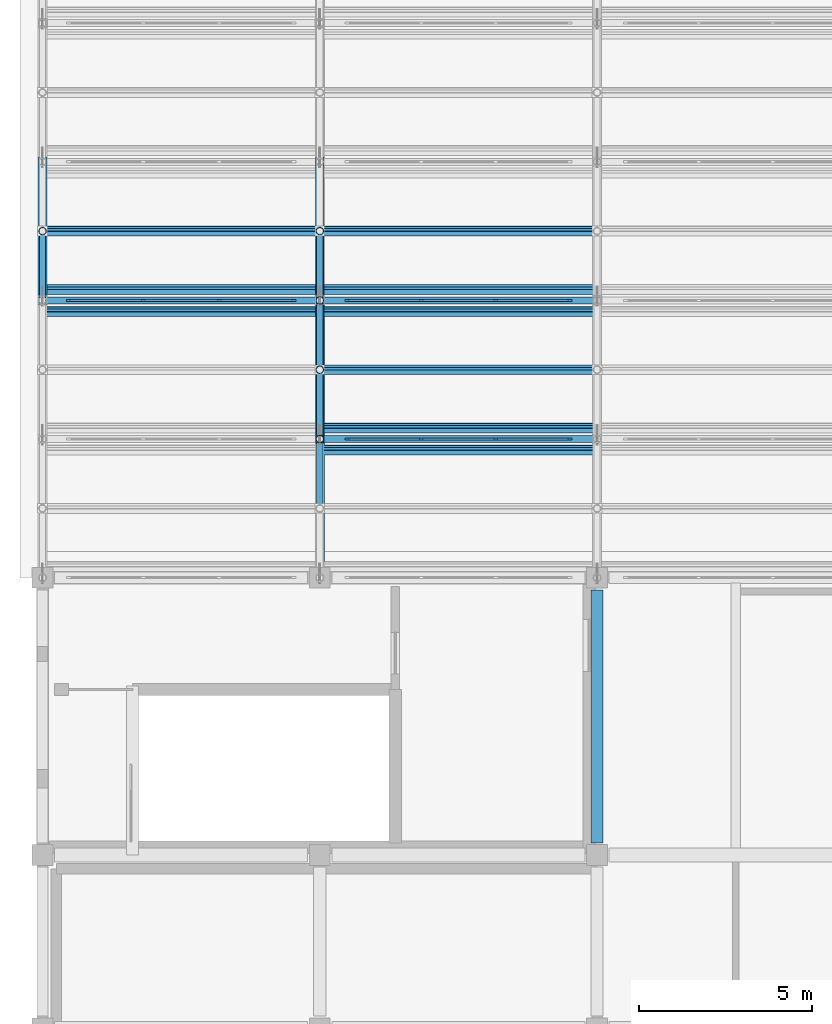
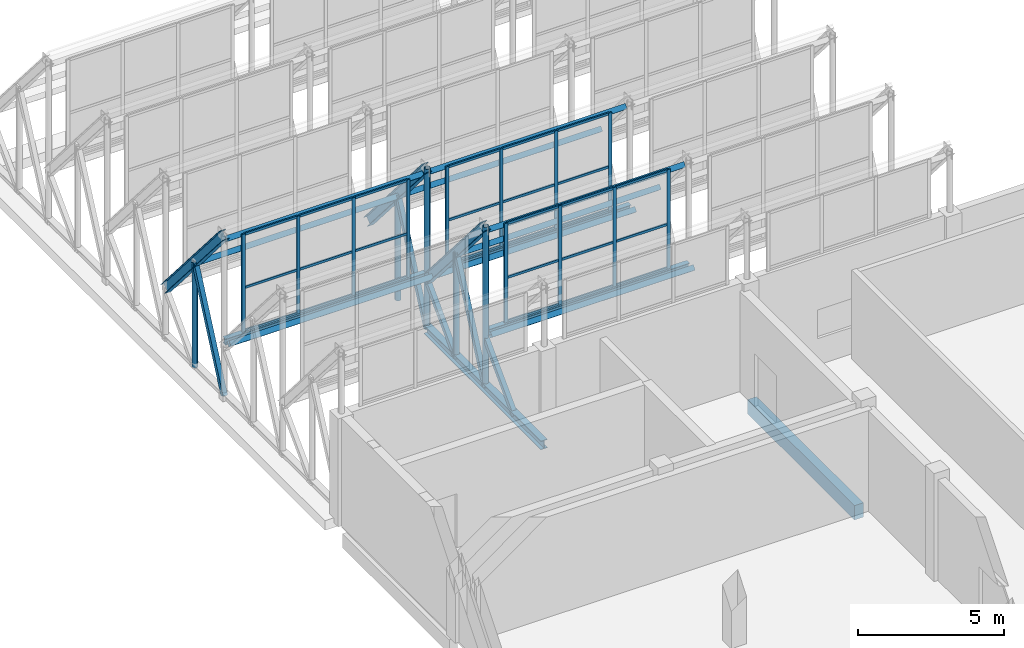
# One storey, part 22 of 43: 61 members, 5 beams, 3 elements without a shape of their own.
"""IFC4 building model written with IfcOpenShell, lengths in metres."""

from ifc_helpers import new_model, si_unit, direction, frame, origin, origin_2d, place, context, subcontext, project, spatial, rectangle, hollow_rectangle, hollow_circle, i_section, extrude, material, layer, layer_set, material_profile, profile_set, type_object, element, aggregate, save


model = new_model("IFC4")

# Units and contexts
model_context = context("Model", 3, precision=1e-05, world=origin(), true_north=direction((0.0, 1.0)))
body_context = subcontext(model_context, "Body", "Model", "MODEL_VIEW")
ifc_project = project(units=[si_unit("LENGTHUNIT", "METRE"), si_unit("AREAUNIT", "SQUARE_METRE"), si_unit("VOLUMEUNIT", "CUBIC_METRE"), si_unit("PLANEANGLEUNIT", "RADIAN"), si_unit("MASSUNIT", "GRAM", prefix="KILO")], contexts=[model_context])

# Site, building, storey
site_placement = place(None, origin())
site = spatial("IfcSite", under=ifc_project, at=site_placement, CompositionType="ELEMENT")
building_placement = place(site_placement, origin())
building = spatial("IfcBuilding", under=site, at=building_placement, Name="Qorikala Patio Media Centre", CompositionType="ELEMENT")
storey_placement = place(building_placement, frame((0.0, 0.0, 18.89990234375)))
storey = spatial("IfcBuildingStorey", under=building, at=storey_placement, Name="L04", CompositionType="ELEMENT", Elevation=18.89990234375)

# Beam
ifc_material_1 = material(Name="Concrete C35/45", Category="concrete")
ifc_material_profile_1 = material_profile(ifc_material_1, rectangle(XDim=0.35009765625, YDim=0.60009765625, at=origin_2d()), Name="RC 350x600")
ifc_profile_set_1 = profile_set([ifc_material_profile_1], Name="Concrete C35/45")
beam_type_1 = type_object("IfcBeamType", Name="BM-G350X600", PredefinedType="BEAM", material=ifc_profile_set_1)
beam_1_placement = place(storey_placement, frame((19.0, 64.35009765625, -0.599853515625), z_axis=(0.0, 1.0, 0.0), x_axis=(-1.0, 0.0, 0.0)))
element("IfcBeam", 1, at=beam_1_placement, inside=storey, type_object=beam_type_1, Name="L04 Grid X=19 Beam 1407", PredefinedType="BEAM", context=body_context, shape_type="SweptSolid", body=[
    extrude(rectangle(XDim=0.35009765625, YDim=0.60009765625, at=origin_2d()), origin(), (0.0, 0.0, 1.0), 7.2998046875),
])

# Members
ifc_material_2 = material(Name="Steel S355", Category="steel")
ifc_material_profile_2 = material_profile(ifc_material_2, hollow_rectangle(XDim=0.179931640625, YDim=0.179931640625, WallThickness=0.008056640625, at=origin_2d()), Name="HSS180X180X8")
ifc_profile_set_2 = profile_set([ifc_material_profile_2], Name="Steel S355")
member_type_1 = type_object("IfcMemberType", Name="BRACE-HSS180", PredefinedType="BRACE", material=ifc_profile_set_2)
member_1_placement = place(storey_placement, frame((3.0, 80.0, 0.35009765625), z_axis=(0.0, 0.415759760268, 0.909474475586), x_axis=(-1.0, 0.0, 0.0)))
element("IfcMember", 2, at=member_1_placement, inside=storey, type_object=member_type_1, Name="SAW-V4 Truss 1 Bay 3 Web Diagonal 1", PredefinedType="BRACE", context=body_context, shape_type="SweptSolid", body=[
    extrude(hollow_rectangle(XDim=0.179931640625, YDim=0.179931640625, WallThickness=0.008056640625, at=origin_2d()), origin(), (0.0, 0.0, 1.0), 4.810546875),
])
member_2_placement = place(storey_placement, frame((11.0, 74.0, 0.35009765625), z_axis=(0.0, 0.698315330267, 0.715790262238), x_axis=(-1.0, 0.0, 0.0)))
element("IfcMember", 3, at=member_2_placement, inside=storey, type_object=member_type_1, Name="SAW-V4 Truss 2 Bay 1 Web Diagonal 2", PredefinedType="BRACE", context=body_context, shape_type="SweptSolid", body=[
    extrude(hollow_rectangle(XDim=0.179931640625, YDim=0.179931640625, WallThickness=0.008056640625, at=origin_2d()), origin(), (0.0, 0.0, 1.0), 2.864013671875),
])
member_3_placement = place(storey_placement, frame((11.0, 76.0, 0.35009765625), z_axis=(0.0, 0.415759760268, 0.909474475586), x_axis=(-1.0, 0.0, 0.0)))
element("IfcMember", 4, at=member_3_placement, inside=storey, type_object=member_type_1, Name="SAW-V4 Truss 2 Bay 2 Web Diagonal 1", PredefinedType="BRACE", context=body_context, shape_type="SweptSolid", body=[
    extrude(hollow_rectangle(XDim=0.179931640625, YDim=0.179931640625, WallThickness=0.008056640625, at=origin_2d()), origin(), (0.0, 0.0, 1.0), 4.810546875),
])
member_4_placement = place(storey_placement, frame((11.0, 78.0, 0.35009765625), z_axis=(0.0, 0.698315330267, 0.715790262238), x_axis=(-1.0, 0.0, 0.0)))
element("IfcMember", 5, at=member_4_placement, inside=storey, type_object=member_type_1, Name="SAW-V4 Truss 2 Bay 2 Web Diagonal 2", PredefinedType="BRACE", context=body_context, shape_type="SweptSolid", body=[
    extrude(hollow_rectangle(XDim=0.179931640625, YDim=0.179931640625, WallThickness=0.008056640625, at=origin_2d()), origin(), (0.0, 0.0, 1.0), 2.864013671875),
])
member_5_placement = place(storey_placement, frame((11.0, 80.0, 0.35009765625), z_axis=(0.0, 0.415759760268, 0.909474475586), x_axis=(-1.0, 0.0, 0.0)))
element("IfcMember", 6, at=member_5_placement, inside=storey, type_object=member_type_1, Name="SAW-V4 Truss 2 Bay 3 Web Diagonal 1", PredefinedType="BRACE", context=body_context, shape_type="SweptSolid", body=[
    extrude(hollow_rectangle(XDim=0.179931640625, YDim=0.179931640625, WallThickness=0.008056640625, at=origin_2d()), origin(), (0.0, 0.0, 1.0), 4.810546875),
])
ifc_material_profile_3 = material_profile(ifc_material_2, i_section(OverallWidth=0.25390625, OverallDepth=0.35302734375, WebThickness=0.009521484375, FlangeThickness=0.016357421875, at=origin_2d()), Name="W360X91")
ifc_profile_set_3 = profile_set([ifc_material_profile_3], Name="Steel S355")
member_type_2 = type_object("IfcMemberType", Name="CHORD-W360X91", PredefinedType="CHORD", material=ifc_profile_set_3)
for number, where, z_axis, x_axis, name in (
    (7, (3.0, 80.0, 7.050048828125), (0.0, 0.652140853929, -0.758097821285), (-1.0, 0.0, 0.0), "SAW-V4 Truss 1 Bay 3 Sloped Top Chord"),
    (8, (11.0, 76.0, 7.050048828125), (0.0, 0.652140853929, -0.758097821285), (-1.0, 0.0, 0.0), "SAW-V4 Truss 2 Bay 2 Sloped Top Chord"),
    (9, (11.0, 80.0, 7.050048828125), (0.0, 0.652140853929, -0.758097821285), (-1.0, 0.0, 0.0), "SAW-V4 Truss 2 Bay 3 Sloped Top Chord"),
):
    element("IfcMember", number, at=place(storey_placement, frame(where, z_axis=z_axis, x_axis=x_axis)), inside=storey, type_object=member_type_2, Name=name, PredefinedType="CHORD", context=body_context, shape_type="SweptSolid", body=[
        extrude(i_section(OverallWidth=0.25390625, OverallDepth=0.35302734375, WebThickness=0.009521484375, FlangeThickness=0.016357421875, at=origin_2d()), origin(), (0.0, 0.0, 1.0), 6.133544921875),
    ])

# Curtain wall, members
ifc_material_3 = material(Name="Bronze Anodised Aluminium and Low-E Glass", Category="aluminium")
ifc_layer_1 = layer(ifc_material_3, 0.159912109375)
ifc_layer_set_1 = layer_set([ifc_layer_1], Name="Bronze Anodised Aluminium and Low-E Glass")
curtain_wall_type_1 = type_object("IfcCurtainWallType", Name="CW-SAW-648X414", PredefinedType="USERDEFINED", material=ifc_layer_set_1)
curtain_wall_1_placement = place(storey_placement, origin())
curtain_wall_1 = element("IfcCurtainWall", 10, at=curtain_wall_1_placement, inside=storey, type_object=curtain_wall_type_1, Name="L04 Sawtooth Glazing 146", ObjectType="SAWTOOTH GLAZING", PredefinedType="USERDEFINED")
ifc_material_4 = material(Name="Bronze Anodised Aluminium", Category="aluminium")
ifc_material_profile_4 = material_profile(ifc_material_4, rectangle(XDim=0.06005859375, YDim=0.1298828125, at=origin_2d()), Name="ALU MULLION 60x130")
ifc_profile_set_4 = profile_set([ifc_material_profile_4], Name="Bronze Anodised Aluminium")
member_type_3 = type_object("IfcMemberType", Name="CWM-60X130", PredefinedType="MULLION", material=ifc_profile_set_4)
member_6_placement = place(storey_placement, frame((11.7900390625, 76.0, 2.75), z_axis=(0.0, 0.0, 1.0), x_axis=(0.0, 1.0, 0.0)))
member_6 = element("IfcMember", 11, at=member_6_placement, type_object=member_type_3, Name="CWS648414 mullion 1", PredefinedType="MULLION", context=body_context, shape_type="SweptSolid", body=[
    extrude(rectangle(XDim=0.06005859375, YDim=0.1298828125, at=origin_2d()), origin(), (0.0, 0.0, 1.0), 4.14013671875),
])
member_7_placement = place(storey_placement, frame((13.919921875, 76.0, 2.75), z_axis=(0.0, 0.0, 1.0), x_axis=(0.0, 1.0, 0.0)))
member_7 = element("IfcMember", 12, at=member_7_placement, type_object=member_type_3, Name="CWS648414 mullion 2", PredefinedType="MULLION", context=body_context, shape_type="SweptSolid", body=[
    extrude(rectangle(XDim=0.06005859375, YDim=0.1298828125, at=origin_2d()), origin(), (0.0, 0.0, 1.0), 4.14013671875),
])
member_8_placement = place(storey_placement, frame((16.080078125, 76.0, 2.75), z_axis=(0.0, 0.0, 1.0), x_axis=(0.0, 1.0, 0.0)))
member_8 = element("IfcMember", 13, at=member_8_placement, type_object=member_type_3, Name="CWS648414 mullion 3", PredefinedType="MULLION", context=body_context, shape_type="SweptSolid", body=[
    extrude(rectangle(XDim=0.06005859375, YDim=0.1298828125, at=origin_2d()), origin(), (0.0, 0.0, 1.0), 4.14013671875),
])
member_9_placement = place(storey_placement, frame((18.2099609375, 76.0, 2.75), z_axis=(0.0, 0.0, 1.0), x_axis=(0.0, 1.0, 0.0)))
member_9 = element("IfcMember", 14, at=member_9_placement, type_object=member_type_3, Name="CWS648414 mullion 4", PredefinedType="MULLION", context=body_context, shape_type="SweptSolid", body=[
    extrude(rectangle(XDim=0.06005859375, YDim=0.1298828125, at=origin_2d()), origin(), (0.0, 0.0, 1.0), 4.14013671875),
])

ifc_layer_2 = layer(ifc_material_3, 0.159912109375)
ifc_layer_set_2 = layer_set([ifc_layer_2], Name="Bronze Anodised Aluminium and Low-E Glass")
curtain_wall_type_2 = type_object("IfcCurtainWallType", Name="CW-SAW-656X408", PredefinedType="USERDEFINED", material=ifc_layer_set_2)
curtain_wall_2_placement = place(storey_placement, origin())
curtain_wall_2 = element("IfcCurtainWall", 15, at=curtain_wall_2_placement, inside=storey, type_object=curtain_wall_type_2, Name="L04 Sawtooth Glazing 148", ObjectType="SAWTOOTH GLAZING", PredefinedType="USERDEFINED")
member_10_placement = place(storey_placement, frame((3.75, 80.0, 2.75), z_axis=(0.0, 0.0, 1.0), x_axis=(0.0, 1.0, 0.0)))
member_10 = element("IfcMember", 16, at=member_10_placement, type_object=member_type_3, Name="CWS656408 mullion 1", PredefinedType="MULLION", context=body_context, shape_type="SweptSolid", body=[
    extrude(rectangle(XDim=0.06005859375, YDim=0.1298828125, at=origin_2d()), origin(), (0.0, 0.0, 1.0), 4.080078125),
])
member_11_placement = place(storey_placement, frame((5.90673828125, 80.0, 2.75), z_axis=(0.0, 0.0, 1.0), x_axis=(0.0, 1.0, 0.0)))
member_11 = element("IfcMember", 17, at=member_11_placement, type_object=member_type_3, Name="CWS656408 mullion 2", PredefinedType="MULLION", context=body_context, shape_type="SweptSolid", body=[
    extrude(rectangle(XDim=0.06005859375, YDim=0.1298828125, at=origin_2d()), origin(), (0.0, 0.0, 1.0), 4.080078125),
])
member_12_placement = place(storey_placement, frame((8.09326171875, 80.0, 2.75), z_axis=(0.0, 0.0, 1.0), x_axis=(0.0, 1.0, 0.0)))
member_12 = element("IfcMember", 18, at=member_12_placement, type_object=member_type_3, Name="CWS656408 mullion 3", PredefinedType="MULLION", context=body_context, shape_type="SweptSolid", body=[
    extrude(rectangle(XDim=0.06005859375, YDim=0.1298828125, at=origin_2d()), origin(), (0.0, 0.0, 1.0), 4.080078125),
])
member_13_placement = place(storey_placement, frame((10.25, 80.0, 2.75), z_axis=(0.0, 0.0, 1.0), x_axis=(0.0, 1.0, 0.0)))
member_13 = element("IfcMember", 19, at=member_13_placement, type_object=member_type_3, Name="CWS656408 mullion 4", PredefinedType="MULLION", context=body_context, shape_type="SweptSolid", body=[
    extrude(rectangle(XDim=0.06005859375, YDim=0.1298828125, at=origin_2d()), origin(), (0.0, 0.0, 1.0), 4.080078125),
])

ifc_layer_3 = layer(ifc_material_3, 0.159912109375)
ifc_layer_set_3 = layer_set([ifc_layer_3], Name="Bronze Anodised Aluminium and Low-E Glass")
curtain_wall_type_3 = type_object("IfcCurtainWallType", Name="CW-SAW-648X408", PredefinedType="USERDEFINED", material=ifc_layer_set_3)
curtain_wall_3_placement = place(storey_placement, origin())
curtain_wall_3 = element("IfcCurtainWall", 20, at=curtain_wall_3_placement, inside=storey, type_object=curtain_wall_type_3, Name="L04 Sawtooth Glazing 149", ObjectType="SAWTOOTH GLAZING", PredefinedType="USERDEFINED")
member_14_placement = place(storey_placement, frame((11.7900390625, 80.0, 2.75), z_axis=(0.0, 0.0, 1.0), x_axis=(0.0, 1.0, 0.0)))
member_14 = element("IfcMember", 21, at=member_14_placement, type_object=member_type_3, Name="CWS648408 mullion 1", PredefinedType="MULLION", context=body_context, shape_type="SweptSolid", body=[
    extrude(rectangle(XDim=0.06005859375, YDim=0.1298828125, at=origin_2d()), origin(), (0.0, 0.0, 1.0), 4.080078125),
])
member_15_placement = place(storey_placement, frame((13.919921875, 80.0, 2.75), z_axis=(0.0, 0.0, 1.0), x_axis=(0.0, 1.0, 0.0)))
member_15 = element("IfcMember", 22, at=member_15_placement, type_object=member_type_3, Name="CWS648408 mullion 2", PredefinedType="MULLION", context=body_context, shape_type="SweptSolid", body=[
    extrude(rectangle(XDim=0.06005859375, YDim=0.1298828125, at=origin_2d()), origin(), (0.0, 0.0, 1.0), 4.080078125),
])
member_16_placement = place(storey_placement, frame((16.080078125, 80.0, 2.75), z_axis=(0.0, 0.0, 1.0), x_axis=(0.0, 1.0, 0.0)))
member_16 = element("IfcMember", 23, at=member_16_placement, type_object=member_type_3, Name="CWS648408 mullion 3", PredefinedType="MULLION", context=body_context, shape_type="SweptSolid", body=[
    extrude(rectangle(XDim=0.06005859375, YDim=0.1298828125, at=origin_2d()), origin(), (0.0, 0.0, 1.0), 4.080078125),
])
member_17_placement = place(storey_placement, frame((18.2099609375, 80.0, 2.75), z_axis=(0.0, 0.0, 1.0), x_axis=(0.0, 1.0, 0.0)))
member_17 = element("IfcMember", 24, at=member_17_placement, type_object=member_type_3, Name="CWS648408 mullion 4", PredefinedType="MULLION", context=body_context, shape_type="SweptSolid", body=[
    extrude(rectangle(XDim=0.06005859375, YDim=0.1298828125, at=origin_2d()), origin(), (0.0, 0.0, 1.0), 4.080078125),
])

# Member
ifc_material_profile_5 = material_profile(ifc_material_4, rectangle(XDim=0.06005859375, YDim=0.10009765625, at=origin_2d()), Name="ALU TRANSOM 60x100")
ifc_profile_set_5 = profile_set([ifc_material_profile_5], Name="Bronze Anodised Aluminium")
member_type_4 = type_object("IfcMemberType", Name="CWT-60X100", PredefinedType="USERDEFINED", material=ifc_profile_set_5)
member_18_placement = place(storey_placement, frame((11.820068359375, 76.0, 2.780029296875), z_axis=(1.0, 0.0, 0.0), x_axis=(0.0, 1.0, 0.0)))
member_18 = element("IfcMember", 25, at=member_18_placement, type_object=member_type_4, Name="CWS648414 transom 1.1", ObjectType="TRANSOM", PredefinedType="USERDEFINED", context=body_context, shape_type="SweptSolid", body=[
    extrude(rectangle(XDim=0.06005859375, YDim=0.10009765625, at=origin_2d()), origin(), (0.0, 0.0, 1.0), 2.06982421875),
])

member_19_placement = place(storey_placement, frame((11.820068359375, 76.0, 4.613037109375), z_axis=(1.0, 0.0, 0.0), x_axis=(0.0, 1.0, 0.0)))
member_19 = element("IfcMember", 26, at=member_19_placement, type_object=member_type_4, Name="CWS648414 transom 1.2", ObjectType="TRANSOM", PredefinedType="USERDEFINED", context=body_context, shape_type="SweptSolid", body=[
    extrude(rectangle(XDim=0.06005859375, YDim=0.10009765625, at=origin_2d()), origin(), (0.0, 0.0, 1.0), 2.06982421875),
])

member_20_placement = place(storey_placement, frame((11.820068359375, 76.0, 6.860107421875), z_axis=(1.0, 0.0, 0.0), x_axis=(0.0, 1.0, 0.0)))
member_20 = element("IfcMember", 27, at=member_20_placement, type_object=member_type_4, Name="CWS648414 transom 1.3", ObjectType="TRANSOM", PredefinedType="USERDEFINED", context=body_context, shape_type="SweptSolid", body=[
    extrude(rectangle(XDim=0.06005859375, YDim=0.10009765625, at=origin_2d()), origin(), (0.0, 0.0, 1.0), 2.06982421875),
])

member_21_placement = place(storey_placement, frame((13.949951171875, 76.0, 2.780029296875), z_axis=(1.0, 0.0, 0.0), x_axis=(0.0, 1.0, 0.0)))
member_21 = element("IfcMember", 28, at=member_21_placement, type_object=member_type_4, Name="CWS648414 transom 2.1", ObjectType="TRANSOM", PredefinedType="USERDEFINED", context=body_context, shape_type="SweptSolid", body=[
    extrude(rectangle(XDim=0.06005859375, YDim=0.10009765625, at=origin_2d()), origin(), (0.0, 0.0, 1.0), 2.10009765625),
])

member_22_placement = place(storey_placement, frame((13.949951171875, 76.0, 4.613037109375), z_axis=(1.0, 0.0, 0.0), x_axis=(0.0, 1.0, 0.0)))
member_22 = element("IfcMember", 29, at=member_22_placement, type_object=member_type_4, Name="CWS648414 transom 2.2", ObjectType="TRANSOM", PredefinedType="USERDEFINED", context=body_context, shape_type="SweptSolid", body=[
    extrude(rectangle(XDim=0.06005859375, YDim=0.10009765625, at=origin_2d()), origin(), (0.0, 0.0, 1.0), 2.10009765625),
])

member_23_placement = place(storey_placement, frame((13.949951171875, 76.0, 6.860107421875), z_axis=(1.0, 0.0, 0.0), x_axis=(0.0, 1.0, 0.0)))
member_23 = element("IfcMember", 30, at=member_23_placement, type_object=member_type_4, Name="CWS648414 transom 2.3", ObjectType="TRANSOM", PredefinedType="USERDEFINED", context=body_context, shape_type="SweptSolid", body=[
    extrude(rectangle(XDim=0.06005859375, YDim=0.10009765625, at=origin_2d()), origin(), (0.0, 0.0, 1.0), 2.10009765625),
])

member_24_placement = place(storey_placement, frame((16.110107421875, 76.0, 2.780029296875), z_axis=(1.0, 0.0, 0.0), x_axis=(0.0, 1.0, 0.0)))
member_24 = element("IfcMember", 31, at=member_24_placement, type_object=member_type_4, Name="CWS648414 transom 3.1", ObjectType="TRANSOM", PredefinedType="USERDEFINED", context=body_context, shape_type="SweptSolid", body=[
    extrude(rectangle(XDim=0.06005859375, YDim=0.10009765625, at=origin_2d()), origin(), (0.0, 0.0, 1.0), 2.06982421875),
])

member_25_placement = place(storey_placement, frame((16.110107421875, 76.0, 4.613037109375), z_axis=(1.0, 0.0, 0.0), x_axis=(0.0, 1.0, 0.0)))
member_25 = element("IfcMember", 32, at=member_25_placement, type_object=member_type_4, Name="CWS648414 transom 3.2", ObjectType="TRANSOM", PredefinedType="USERDEFINED", context=body_context, shape_type="SweptSolid", body=[
    extrude(rectangle(XDim=0.06005859375, YDim=0.10009765625, at=origin_2d()), origin(), (0.0, 0.0, 1.0), 2.06982421875),
])

member_26_placement = place(storey_placement, frame((16.110107421875, 76.0, 6.860107421875), z_axis=(1.0, 0.0, 0.0), x_axis=(0.0, 1.0, 0.0)))
member_26 = element("IfcMember", 33, at=member_26_placement, type_object=member_type_4, Name="CWS648414 transom 3.3", ObjectType="TRANSOM", PredefinedType="USERDEFINED", context=body_context, shape_type="SweptSolid", body=[
    extrude(rectangle(XDim=0.06005859375, YDim=0.10009765625, at=origin_2d()), origin(), (0.0, 0.0, 1.0), 2.06982421875),
])

aggregate(curtain_wall_1, [member_6, member_7, member_8, member_9, member_18, member_19, member_20, member_21, member_22, member_23, member_24, member_25, member_26])

member_27_placement = place(storey_placement, frame((3.780029296875, 80.0, 2.780029296875), z_axis=(1.0, 0.0, 0.0), x_axis=(0.0, 1.0, 0.0)))
member_27 = element("IfcMember", 34, at=member_27_placement, type_object=member_type_4, Name="CWS656408 transom 1.1", ObjectType="TRANSOM", PredefinedType="USERDEFINED", context=body_context, shape_type="SweptSolid", body=[
    extrude(rectangle(XDim=0.06005859375, YDim=0.10009765625, at=origin_2d()), origin(), (0.0, 0.0, 1.0), 2.0966796875),
])

member_28_placement = place(storey_placement, frame((3.780029296875, 80.0, 4.586181640625), z_axis=(1.0, 0.0, 0.0), x_axis=(0.0, 1.0, 0.0)))
member_28 = element("IfcMember", 35, at=member_28_placement, type_object=member_type_4, Name="CWS656408 transom 1.2", ObjectType="TRANSOM", PredefinedType="USERDEFINED", context=body_context, shape_type="SweptSolid", body=[
    extrude(rectangle(XDim=0.06005859375, YDim=0.10009765625, at=origin_2d()), origin(), (0.0, 0.0, 1.0), 2.0966796875),
])

member_29_placement = place(storey_placement, frame((3.780029296875, 80.0, 6.800048828125), z_axis=(1.0, 0.0, 0.0), x_axis=(0.0, 1.0, 0.0)))
member_29 = element("IfcMember", 36, at=member_29_placement, type_object=member_type_4, Name="CWS656408 transom 1.3", ObjectType="TRANSOM", PredefinedType="USERDEFINED", context=body_context, shape_type="SweptSolid", body=[
    extrude(rectangle(XDim=0.06005859375, YDim=0.10009765625, at=origin_2d()), origin(), (0.0, 0.0, 1.0), 2.0966796875),
])

member_30_placement = place(storey_placement, frame((5.936767578125, 80.0, 2.780029296875), z_axis=(1.0, 0.0, 0.0), x_axis=(0.0, 1.0, 0.0)))
member_30 = element("IfcMember", 37, at=member_30_placement, type_object=member_type_4, Name="CWS656408 transom 2.1", ObjectType="TRANSOM", PredefinedType="USERDEFINED", context=body_context, shape_type="SweptSolid", body=[
    extrude(rectangle(XDim=0.06005859375, YDim=0.10009765625, at=origin_2d()), origin(), (0.0, 0.0, 1.0), 2.12646484375),
])

member_31_placement = place(storey_placement, frame((5.936767578125, 80.0, 4.586181640625), z_axis=(1.0, 0.0, 0.0), x_axis=(0.0, 1.0, 0.0)))
member_31 = element("IfcMember", 38, at=member_31_placement, type_object=member_type_4, Name="CWS656408 transom 2.2", ObjectType="TRANSOM", PredefinedType="USERDEFINED", context=body_context, shape_type="SweptSolid", body=[
    extrude(rectangle(XDim=0.06005859375, YDim=0.10009765625, at=origin_2d()), origin(), (0.0, 0.0, 1.0), 2.12646484375),
])

member_32_placement = place(storey_placement, frame((5.936767578125, 80.0, 6.800048828125), z_axis=(1.0, 0.0, 0.0), x_axis=(0.0, 1.0, 0.0)))
member_32 = element("IfcMember", 39, at=member_32_placement, type_object=member_type_4, Name="CWS656408 transom 2.3", ObjectType="TRANSOM", PredefinedType="USERDEFINED", context=body_context, shape_type="SweptSolid", body=[
    extrude(rectangle(XDim=0.06005859375, YDim=0.10009765625, at=origin_2d()), origin(), (0.0, 0.0, 1.0), 2.12646484375),
])

member_33_placement = place(storey_placement, frame((8.123291015625, 80.0, 2.780029296875), z_axis=(1.0, 0.0, 0.0), x_axis=(0.0, 1.0, 0.0)))
member_33 = element("IfcMember", 40, at=member_33_placement, type_object=member_type_4, Name="CWS656408 transom 3.1", ObjectType="TRANSOM", PredefinedType="USERDEFINED", context=body_context, shape_type="SweptSolid", body=[
    extrude(rectangle(XDim=0.06005859375, YDim=0.10009765625, at=origin_2d()), origin(), (0.0, 0.0, 1.0), 2.0966796875),
])

member_34_placement = place(storey_placement, frame((8.123291015625, 80.0, 4.586181640625), z_axis=(1.0, 0.0, 0.0), x_axis=(0.0, 1.0, 0.0)))
member_34 = element("IfcMember", 41, at=member_34_placement, type_object=member_type_4, Name="CWS656408 transom 3.2", ObjectType="TRANSOM", PredefinedType="USERDEFINED", context=body_context, shape_type="SweptSolid", body=[
    extrude(rectangle(XDim=0.06005859375, YDim=0.10009765625, at=origin_2d()), origin(), (0.0, 0.0, 1.0), 2.0966796875),
])

member_35_placement = place(storey_placement, frame((8.123291015625, 80.0, 6.800048828125), z_axis=(1.0, 0.0, 0.0), x_axis=(0.0, 1.0, 0.0)))
member_35 = element("IfcMember", 42, at=member_35_placement, type_object=member_type_4, Name="CWS656408 transom 3.3", ObjectType="TRANSOM", PredefinedType="USERDEFINED", context=body_context, shape_type="SweptSolid", body=[
    extrude(rectangle(XDim=0.06005859375, YDim=0.10009765625, at=origin_2d()), origin(), (0.0, 0.0, 1.0), 2.0966796875),
])

aggregate(curtain_wall_2, [member_10, member_11, member_12, member_13, member_27, member_28, member_29, member_30, member_31, member_32, member_33, member_34, member_35])

member_36_placement = place(storey_placement, frame((11.820068359375, 80.0, 2.780029296875), z_axis=(1.0, 0.0, 0.0), x_axis=(0.0, 1.0, 0.0)))
member_36 = element("IfcMember", 43, at=member_36_placement, type_object=member_type_4, Name="CWS648408 transom 1.1", ObjectType="TRANSOM", PredefinedType="USERDEFINED", context=body_context, shape_type="SweptSolid", body=[
    extrude(rectangle(XDim=0.06005859375, YDim=0.10009765625, at=origin_2d()), origin(), (0.0, 0.0, 1.0), 2.06982421875),
])

member_37_placement = place(storey_placement, frame((11.820068359375, 80.0, 4.586181640625), z_axis=(1.0, 0.0, 0.0), x_axis=(0.0, 1.0, 0.0)))
member_37 = element("IfcMember", 44, at=member_37_placement, type_object=member_type_4, Name="CWS648408 transom 1.2", ObjectType="TRANSOM", PredefinedType="USERDEFINED", context=body_context, shape_type="SweptSolid", body=[
    extrude(rectangle(XDim=0.06005859375, YDim=0.10009765625, at=origin_2d()), origin(), (0.0, 0.0, 1.0), 2.06982421875),
])

member_38_placement = place(storey_placement, frame((11.820068359375, 80.0, 6.800048828125), z_axis=(1.0, 0.0, 0.0), x_axis=(0.0, 1.0, 0.0)))
member_38 = element("IfcMember", 45, at=member_38_placement, type_object=member_type_4, Name="CWS648408 transom 1.3", ObjectType="TRANSOM", PredefinedType="USERDEFINED", context=body_context, shape_type="SweptSolid", body=[
    extrude(rectangle(XDim=0.06005859375, YDim=0.10009765625, at=origin_2d()), origin(), (0.0, 0.0, 1.0), 2.06982421875),
])

member_39_placement = place(storey_placement, frame((13.949951171875, 80.0, 2.780029296875), z_axis=(1.0, 0.0, 0.0), x_axis=(0.0, 1.0, 0.0)))
member_39 = element("IfcMember", 46, at=member_39_placement, type_object=member_type_4, Name="CWS648408 transom 2.1", ObjectType="TRANSOM", PredefinedType="USERDEFINED", context=body_context, shape_type="SweptSolid", body=[
    extrude(rectangle(XDim=0.06005859375, YDim=0.10009765625, at=origin_2d()), origin(), (0.0, 0.0, 1.0), 2.10009765625),
])

member_40_placement = place(storey_placement, frame((13.949951171875, 80.0, 4.586181640625), z_axis=(1.0, 0.0, 0.0), x_axis=(0.0, 1.0, 0.0)))
member_40 = element("IfcMember", 47, at=member_40_placement, type_object=member_type_4, Name="CWS648408 transom 2.2", ObjectType="TRANSOM", PredefinedType="USERDEFINED", context=body_context, shape_type="SweptSolid", body=[
    extrude(rectangle(XDim=0.06005859375, YDim=0.10009765625, at=origin_2d()), origin(), (0.0, 0.0, 1.0), 2.10009765625),
])

member_41_placement = place(storey_placement, frame((13.949951171875, 80.0, 6.800048828125), z_axis=(1.0, 0.0, 0.0), x_axis=(0.0, 1.0, 0.0)))
member_41 = element("IfcMember", 48, at=member_41_placement, type_object=member_type_4, Name="CWS648408 transom 2.3", ObjectType="TRANSOM", PredefinedType="USERDEFINED", context=body_context, shape_type="SweptSolid", body=[
    extrude(rectangle(XDim=0.06005859375, YDim=0.10009765625, at=origin_2d()), origin(), (0.0, 0.0, 1.0), 2.10009765625),
])

member_42_placement = place(storey_placement, frame((16.110107421875, 80.0, 2.780029296875), z_axis=(1.0, 0.0, 0.0), x_axis=(0.0, 1.0, 0.0)))
member_42 = element("IfcMember", 49, at=member_42_placement, type_object=member_type_4, Name="CWS648408 transom 3.1", ObjectType="TRANSOM", PredefinedType="USERDEFINED", context=body_context, shape_type="SweptSolid", body=[
    extrude(rectangle(XDim=0.06005859375, YDim=0.10009765625, at=origin_2d()), origin(), (0.0, 0.0, 1.0), 2.06982421875),
])

member_43_placement = place(storey_placement, frame((16.110107421875, 80.0, 4.586181640625), z_axis=(1.0, 0.0, 0.0), x_axis=(0.0, 1.0, 0.0)))
member_43 = element("IfcMember", 50, at=member_43_placement, type_object=member_type_4, Name="CWS648408 transom 3.2", ObjectType="TRANSOM", PredefinedType="USERDEFINED", context=body_context, shape_type="SweptSolid", body=[
    extrude(rectangle(XDim=0.06005859375, YDim=0.10009765625, at=origin_2d()), origin(), (0.0, 0.0, 1.0), 2.06982421875),
])

member_44_placement = place(storey_placement, frame((16.110107421875, 80.0, 6.800048828125), z_axis=(1.0, 0.0, 0.0), x_axis=(0.0, 1.0, 0.0)))
member_44 = element("IfcMember", 51, at=member_44_placement, type_object=member_type_4, Name="CWS648408 transom 3.3", ObjectType="TRANSOM", PredefinedType="USERDEFINED", context=body_context, shape_type="SweptSolid", body=[
    extrude(rectangle(XDim=0.06005859375, YDim=0.10009765625, at=origin_2d()), origin(), (0.0, 0.0, 1.0), 2.06982421875),
])

aggregate(curtain_wall_3, [member_14, member_15, member_16, member_17, member_36, member_37, member_38, member_39, member_40, member_41, member_42, member_43, member_44])

# Members
ifc_material_profile_6 = material_profile(ifc_material_2, i_section(OverallWidth=0.202880859375, OverallDepth=0.202880859375, WebThickness=0.007080078125, FlangeThickness=0.010986328125, at=origin_2d()), Name="W200X46")
ifc_profile_set_6 = profile_set([ifc_material_profile_6], Name="Steel S355")
member_type_5 = type_object("IfcMemberType", Name="PURLIN-W200X46", PredefinedType="PURLIN", material=ifc_profile_set_6)
for number, where, z_axis, x_axis, name in (
    (52, (11.0, 75.679931640625, 2.6904296875), (1.0, 0.0, 0.0), (0.0, 0.652138098758, 0.758100191366), "SAW-V4 Bay 1 Roof Purlin"),
    (53, (11.0, 76.320068359375, 6.596435546875), (1.0, 0.0, 0.0), (0.0, 0.652138098758, 0.758100191366), "SAW-V4 Bay 2 Roof Purlin"),
    (54, (11.0, 78.0, 4.643310546875), (1.0, 0.0, 0.0), (0.0, 0.652138098758, 0.758100191366), "SAW-V4 Bay 2 Roof Purlin"),
    (55, (3.0, 79.679931640625, 2.6904296875), (1.0, 0.0, 0.0), (0.0, 0.652138098758, 0.758100191366), "SAW-V4 Bay 2 Roof Purlin"),
    (56, (11.0, 79.679931640625, 2.6904296875), (1.0, 0.0, 0.0), (0.0, 0.652138098758, 0.758100191366), "SAW-V4 Bay 2 Roof Purlin"),
    (57, (3.0, 80.320068359375, 6.596435546875), (1.0, 0.0, 0.0), (0.0, 0.652138098758, 0.758100191366), "SAW-V4 Bay 3 Roof Purlin"),
    (58, (11.0, 80.320068359375, 6.596435546875), (1.0, 0.0, 0.0), (0.0, 0.652138098758, 0.758100191366), "SAW-V4 Bay 3 Roof Purlin"),
    (59, (3.0, 82.0, 4.643310546875), (1.0, 0.0, 0.0), (0.0, 0.652138098758, 0.758100191366), "SAW-V4 Bay 3 Roof Purlin"),
    (60, (11.0, 82.0, 4.643310546875), (1.0, 0.0, 0.0), (0.0, 0.652138098758, 0.758100191366), "SAW-V4 Bay 3 Roof Purlin"),
):
    element("IfcMember", number, at=place(storey_placement, frame(where, z_axis=z_axis, x_axis=x_axis)), inside=storey, type_object=member_type_5, Name=name, PredefinedType="PURLIN", context=body_context, shape_type="SweptSolid", body=[
        extrude(i_section(OverallWidth=0.202880859375, OverallDepth=0.202880859375, WebThickness=0.007080078125, FlangeThickness=0.010986328125, at=origin_2d()), origin(), (0.0, 0.0, 1.0), 8.0),
    ])

# Beams
ifc_material_profile_7 = material_profile(ifc_material_2, i_section(OverallWidth=0.202880859375, OverallDepth=0.251953125, WebThickness=0.008056640625, FlangeThickness=0.013427734375, at=origin_2d()), Name="W250X58")
ifc_profile_set_7 = profile_set([ifc_material_profile_7], Name="Steel S355")
beam_type_2 = type_object("IfcBeamType", Name="SBM-W250X58", PredefinedType="BEAM", material=ifc_profile_set_7)
for number, where, z_axis, x_axis, name in (
    (61, (11.0, 76.0, 2.625), (1.0, 0.0, 0.0), (0.0, 1.0, 0.0), "Sawtooth V4 Clerestory Sill Beam 2.2"),
    (62, (3.0, 80.0, 2.625), (1.0, 0.0, 0.0), (0.0, 1.0, 0.0), "Sawtooth V4 Clerestory Sill Beam 3.1"),
    (63, (11.0, 80.0, 2.625), (1.0, 0.0, 0.0), (0.0, 1.0, 0.0), "Sawtooth V4 Clerestory Sill Beam 3.2"),
):
    element("IfcBeam", number, at=place(storey_placement, frame(where, z_axis=z_axis, x_axis=x_axis)), inside=storey, type_object=beam_type_2, Name=name, PredefinedType="BEAM", context=body_context, shape_type="SweptSolid", body=[
        extrude(i_section(OverallWidth=0.202880859375, OverallDepth=0.251953125, WebThickness=0.008056640625, FlangeThickness=0.013427734375, at=origin_2d()), origin(), (0.0, 0.0, 1.0), 8.0),
    ])
ifc_material_profile_8 = material_profile(ifc_material_2, i_section(OverallWidth=0.257080078125, OverallDepth=0.363037109375, WebThickness=0.012939453125, FlangeThickness=0.021728515625, at=origin_2d()), Name="W360X122")
ifc_profile_set_8 = profile_set([ifc_material_profile_8], Name="Steel S355")
beam_type_3 = type_object("IfcBeamType", Name="SBM-W360X122", PredefinedType="BEAM", material=ifc_profile_set_8)
beam_2_placement = place(storey_placement, frame((11.0, 72.0, 0.35009765625), z_axis=(0.0, 1.0, 0.0), x_axis=(-1.0, 0.0, 0.0)))
element("IfcBeam", 64, at=beam_2_placement, inside=storey, type_object=beam_type_3, Name="SAW-V4 Longitudinal Truss Tie Girder X=11", PredefinedType="BEAM", context=body_context, shape_type="SweptSolid", body=[
    extrude(i_section(OverallWidth=0.257080078125, OverallDepth=0.363037109375, WebThickness=0.012939453125, FlangeThickness=0.021728515625, at=origin_2d()), origin(), (0.0, 0.0, 1.0), 8.0),
])

# Members
ifc_material_profile_9 = material_profile(ifc_material_2, hollow_circle(Radius=0.109619140625, WallThickness=0.008056640625, at=origin_2d()), Name="CHS219X8")
ifc_profile_set_9 = profile_set([ifc_material_profile_9], Name="Steel S355")
member_type_6 = type_object("IfcMemberType", Name="STRUT-CHS219", PredefinedType="STRUT", material=ifc_profile_set_9)
member_45_placement = place(storey_placement, frame((3.0, 82.0, 0.35009765625), z_axis=(0.0, 0.0, 1.0), x_axis=(1.0, 0.0, 0.0)))
element("IfcMember", 65, at=member_45_placement, inside=storey, type_object=member_type_6, Name="SAW-V4 Truss 1 Bay 3 Mid Strut", PredefinedType="STRUT", context=body_context, shape_type="SweptSolid", body=[
    extrude(hollow_circle(Radius=0.109619140625, WallThickness=0.008056640625, at=origin_2d()), origin(), (0.0, 0.0, 1.0), 4.375),
])
member_46_placement = place(storey_placement, frame((11.0, 76.0, 0.35009765625), z_axis=(0.0, 0.0, 1.0), x_axis=(1.0, 0.0, 0.0)))
element("IfcMember", 66, at=member_46_placement, inside=storey, type_object=member_type_6, Name="SAW-V4 Truss 2 Bay 2 Clerestory Post", PredefinedType="STRUT", context=body_context, shape_type="SweptSolid", body=[
    extrude(hollow_circle(Radius=0.109619140625, WallThickness=0.008056640625, at=origin_2d()), origin(), (0.0, 0.0, 1.0), 6.699951171875),
])
member_47_placement = place(storey_placement, frame((11.0, 78.0, 0.35009765625), z_axis=(0.0, 0.0, 1.0), x_axis=(1.0, 0.0, 0.0)))
element("IfcMember", 67, at=member_47_placement, inside=storey, type_object=member_type_6, Name="SAW-V4 Truss 2 Bay 2 Mid Strut", PredefinedType="STRUT", context=body_context, shape_type="SweptSolid", body=[
    extrude(hollow_circle(Radius=0.109619140625, WallThickness=0.008056640625, at=origin_2d()), origin(), (0.0, 0.0, 1.0), 4.375),
])
member_48_placement = place(storey_placement, frame((11.0, 80.0, 0.35009765625), z_axis=(0.0, 0.0, 1.0), x_axis=(1.0, 0.0, 0.0)))
element("IfcMember", 68, at=member_48_placement, inside=storey, type_object=member_type_6, Name="SAW-V4 Truss 2 Bay 3 Clerestory Post", PredefinedType="STRUT", context=body_context, shape_type="SweptSolid", body=[
    extrude(hollow_circle(Radius=0.109619140625, WallThickness=0.008056640625, at=origin_2d()), origin(), (0.0, 0.0, 1.0), 6.699951171875),
])
member_49_placement = place(storey_placement, frame((11.0, 82.0, 0.35009765625), z_axis=(0.0, 0.0, 1.0), x_axis=(1.0, 0.0, 0.0)))
element("IfcMember", 69, at=member_49_placement, inside=storey, type_object=member_type_6, Name="SAW-V4 Truss 2 Bay 3 Mid Strut", PredefinedType="STRUT", context=body_context, shape_type="SweptSolid", body=[
    extrude(hollow_circle(Radius=0.109619140625, WallThickness=0.008056640625, at=origin_2d()), origin(), (0.0, 0.0, 1.0), 4.375),
])

save(model, "model.ifc")
